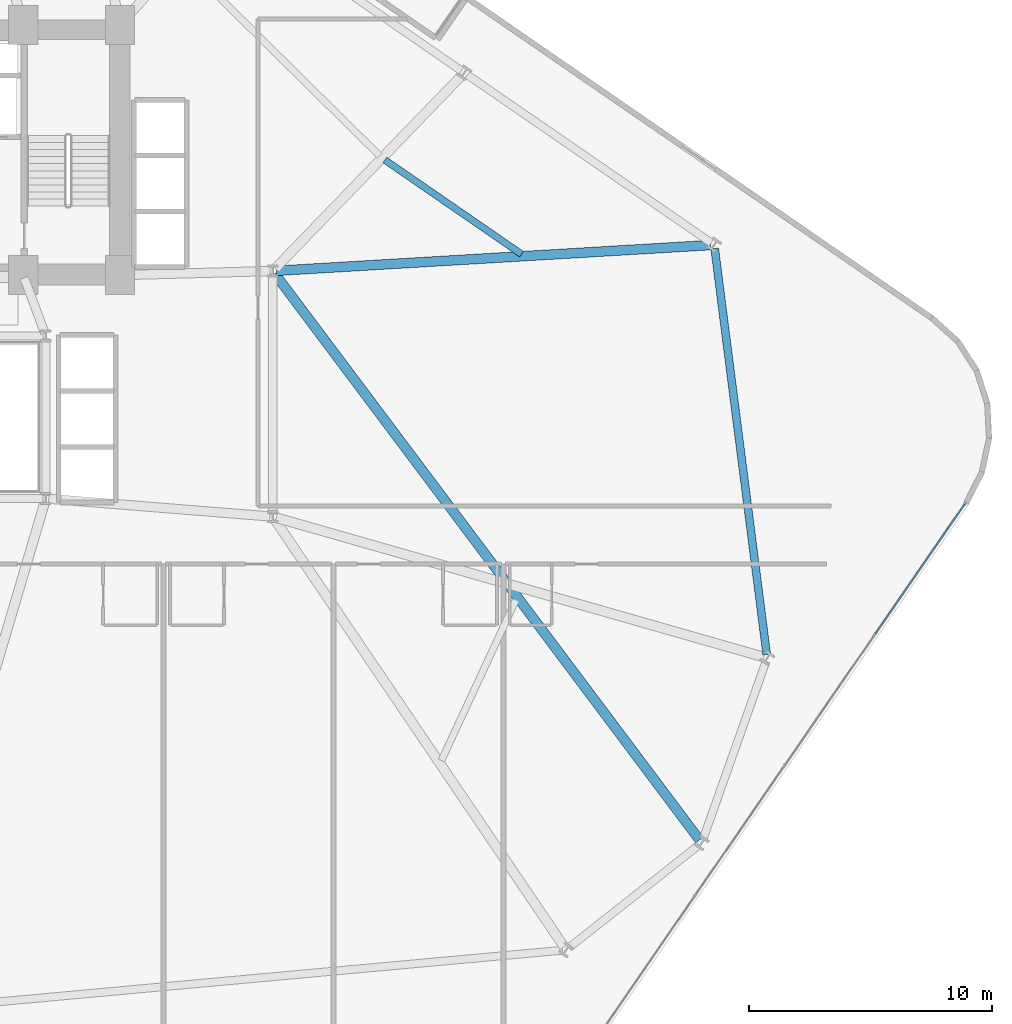
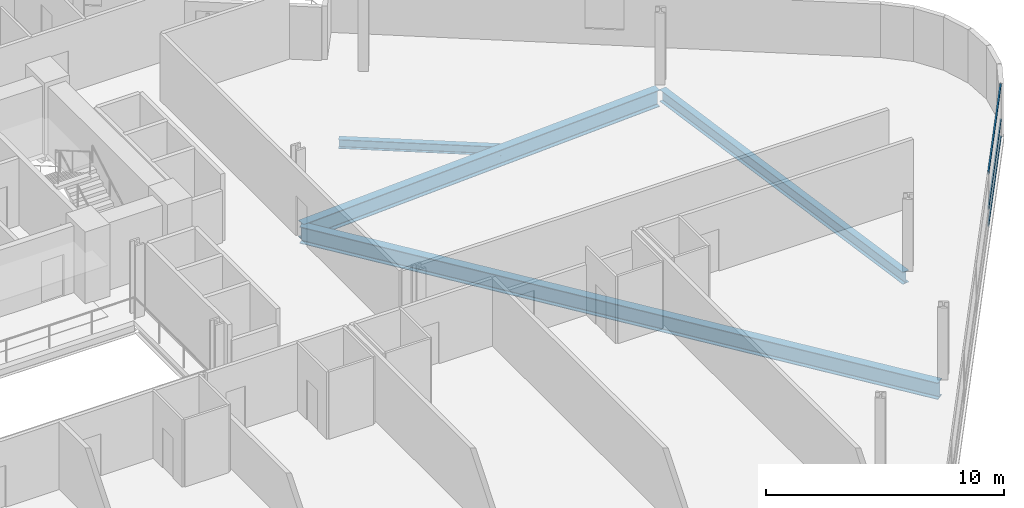
# One storey, part 10 of 25: 4 beams, 3 members, 1 element without a shape of its own.
"""IFC4 building model written with IfcOpenShell, lengths in metres."""

from ifc_helpers import new_model, si_unit, direction, frame, origin, origin_2d, place, context, subcontext, project, spatial, hollow_rectangle, i_section, extrude, material, layer, layer_set, material_profile, profile_set, type_object, element, aggregate, save


model = new_model("IFC4")

# Units and contexts
model_context = context("Model", 3, precision=1e-05, world=origin(), true_north=direction((0.0, 1.0)))
body_context = subcontext(model_context, "Body", "Model", "MODEL_VIEW")
ifc_project = project(units=[si_unit("LENGTHUNIT", "METRE"), si_unit("AREAUNIT", "SQUARE_METRE"), si_unit("VOLUMEUNIT", "CUBIC_METRE"), si_unit("PLANEANGLEUNIT", "RADIAN"), si_unit("MASSUNIT", "GRAM", prefix="KILO")], contexts=[model_context])

# Site, building, storey
site_placement = place(None, origin())
site = spatial("IfcSite", under=ifc_project, at=site_placement, CompositionType="ELEMENT")
building_placement = place(site_placement, origin())
building = spatial("IfcBuilding", under=site, at=building_placement, Name="Varnelok Gate Tower", CompositionType="ELEMENT")
storey_placement = place(building_placement, frame((0.0, 0.0, 56.60009765625)))
storey = spatial("IfcBuildingStorey", under=building, at=storey_placement, Name="L13", CompositionType="ELEMENT", Elevation=56.60009765625)

# Beams
ifc_material_1 = material(Name="Structural Steel ASTM A992 Grade 50", Category="steel")
ifc_material_profile_1 = material_profile(ifc_material_1, i_section(OverallWidth=0.280029296875, OverallDepth=0.462890625, WebThickness=0.0107421875, FlangeThickness=0.017333984375, FilletRadius=0.014892578125, at=origin_2d()), Name="W18X76")
ifc_profile_set_1 = profile_set([ifc_material_profile_1], Name="Structural Steel ASTM A992 Grade 50")
beam_type_1 = type_object("IfcBeamType", Name="BM-JST-W18X76", PredefinedType="JOIST", material=ifc_profile_set_1)
beam_1_placement = place(storey_placement, frame((64.25048828125, 29.613525390625, -0.481689453125), z_axis=(-0.823548330325, 0.56724610851, 0.0), x_axis=(-0.56724610851, -0.823548330325, 0.0)))
element("IfcBeam", 1, at=beam_1_placement, inside=storey, type_object=beam_type_1, Name="L13 Sector Floor Joist 6", PredefinedType="JOIST", context=body_context, shape_type="SweptSolid", body=[
    extrude(i_section(OverallWidth=0.280029296875, OverallDepth=0.462890625, WebThickness=0.0107421875, FlangeThickness=0.017333984375, FilletRadius=0.014892578125, at=origin_2d()), origin(), (0.0, 0.0, 1.0), 6.844970703125),
])
ifc_material_profile_2 = material_profile(ifc_material_1, i_section(OverallWidth=0.39892578125, OverallDepth=0.85498046875, WebThickness=0.018310546875, FlangeThickness=0.029296875, FilletRadius=0.02392578125, at=origin_2d()), Name="W33X201")
ifc_profile_set_2 = profile_set([ifc_material_profile_2], Name="Structural Steel ASTM A992 Grade 50")
beam_type_2 = type_object("IfcBeamType", Name="BM-PRI-W33X201", PredefinedType="BEAM", material=ifc_profile_set_2)
beam_2_placement = place(storey_placement, frame((54.090087890625, 28.800048828125, -0.677490234375), z_axis=(0.600038863323, -0.799970851033, 0.0), x_axis=(0.799970851033, 0.600038863323, 0.0)))
element("IfcBeam", 2, at=beam_2_placement, inside=storey, type_object=beam_type_2, Name="L13 Radial Floor Girder 7", PredefinedType="BEAM", context=body_context, shape_type="SweptSolid", body=[
    extrude(i_section(OverallWidth=0.39892578125, OverallDepth=0.85498046875, WebThickness=0.018310546875, FlangeThickness=0.029296875, FilletRadius=0.02392578125, at=origin_2d()), origin(), (0.0, 0.0, 1.0), 29.148193359375),
])
beam_3_placement = place(storey_placement, frame((54.149658203125, 28.928955078125, -0.677490234375), z_axis=(0.998250753284, 0.059122191839, 0.0), x_axis=(-0.059122191839, 0.998250753284, 0.0)))
element("IfcBeam", 3, at=beam_3_placement, inside=storey, type_object=beam_type_2, Name="L13 Radial Floor Girder 9", PredefinedType="BEAM", context=body_context, shape_type="SweptSolid", body=[
    extrude(i_section(OverallWidth=0.39892578125, OverallDepth=0.85498046875, WebThickness=0.018310546875, FlangeThickness=0.029296875, FilletRadius=0.02392578125, at=origin_2d()), origin(), (0.0, 0.0, 1.0), 17.91748046875),
])
ifc_material_profile_3 = material_profile(ifc_material_1, i_section(OverallWidth=0.323974609375, OverallDepth=0.611083984375, WebThickness=0.0126953125, FlangeThickness=0.01904296875, FilletRadius=0.01806640625, at=origin_2d()), Name="W24X104")
ifc_profile_set_3 = profile_set([ifc_material_profile_3], Name="Structural Steel ASTM A992 Grade 50")
beam_type_3 = type_object("IfcBeamType", Name="BM-SPN-W24X104", PredefinedType="SPANDREL", material=ifc_profile_set_3)
beam_4_placement = place(storey_placement, frame((74.347900390625, 13.125, -0.5556640625), z_axis=(-0.127122673264, 0.991887002608, 0.0), x_axis=(-0.991887002608, -0.127122673264, 0.0)))
element("IfcBeam", 4, at=beam_4_placement, inside=storey, type_object=beam_type_3, Name="L13 Perimeter Spandrel Beam 8", PredefinedType="SPANDREL", context=body_context, shape_type="SweptSolid", body=[
    extrude(i_section(OverallWidth=0.323974609375, OverallDepth=0.611083984375, WebThickness=0.0126953125, FlangeThickness=0.01904296875, FilletRadius=0.01806640625, at=origin_2d()), origin(), (0.0, 0.0, 1.0), 16.860107421875),
])

# Curtain wall, members
ifc_material_2 = material(Name="Anodized Aluminum Alloy 6063-T6", Category="aluminium")
ifc_layer = layer(ifc_material_2, 0.179931640625)
ifc_layer_set = layer_set([ifc_layer], Name="Anodized Aluminum Alloy 6063-T6")
curtain_wall_type = type_object("IfcCurtainWallType", Name="CW3-HOTEL-VISION", PredefinedType="USERDEFINED", material=ifc_layer_set)
curtain_wall_placement = place(storey_placement, origin())
curtain_wall = element("IfcCurtainWall", 5, at=curtain_wall_placement, inside=storey, type_object=curtain_wall_type, Name="L13 East End Vision Curtain Wall", ObjectType="UNITISED CURTAIN WALL", PredefinedType="USERDEFINED")
ifc_material_profile_4 = material_profile(ifc_material_2, hollow_rectangle(XDim=0.06494140625, YDim=0.159912109375, WallThickness=0.00390625, at=origin_2d()), Name="ALU160X65X4")
ifc_profile_set_4 = profile_set([ifc_material_profile_4], Name="Anodized Aluminum Alloy 6063-T6")
member_type = type_object("IfcMemberType", Name="CW-TRAN-160", PredefinedType="USERDEFINED", material=ifc_profile_set_4)
member_1_placement = place(storey_placement, frame((82.505615234375, 19.3125, 0.032470703125), z_axis=(-0.567298980035, -0.823511910813, 0.0), x_axis=(0.823511910813, -0.567298980035, 0.0)))
member_1 = element("IfcMember", 6, at=member_1_placement, type_object=member_type, Name="CW3 transom 1.1", ObjectType="TRANSOM", PredefinedType="USERDEFINED", context=body_context, shape_type="SweptSolid", body=[
    extrude(hollow_rectangle(XDim=0.06494140625, YDim=0.159912109375, WallThickness=0.00390625, at=origin_2d()), origin(), (0.0, 0.0, 1.0), 6.468994140625),
])
member_2_placement = place(storey_placement, frame((82.505615234375, 19.3125, 0.89990234375), z_axis=(-0.567298980035, -0.823511910813, 0.0), x_axis=(0.823511910813, -0.567298980035, 0.0)))
member_2 = element("IfcMember", 7, at=member_2_placement, type_object=member_type, Name="CW3 transom 1.2", ObjectType="TRANSOM", PredefinedType="USERDEFINED", context=body_context, shape_type="SweptSolid", body=[
    extrude(hollow_rectangle(XDim=0.06494140625, YDim=0.159912109375, WallThickness=0.00390625, at=origin_2d()), origin(), (0.0, 0.0, 1.0), 6.468994140625),
])
member_3_placement = place(storey_placement, frame((82.505615234375, 19.3125, 2.697509765625), z_axis=(-0.567298980035, -0.823511910813, 0.0), x_axis=(0.823511910813, -0.567298980035, 0.0)))
member_3 = element("IfcMember", 8, at=member_3_placement, type_object=member_type, Name="CW3 transom 1.3", ObjectType="TRANSOM", PredefinedType="USERDEFINED", context=body_context, shape_type="SweptSolid", body=[
    extrude(hollow_rectangle(XDim=0.06494140625, YDim=0.159912109375, WallThickness=0.00390625, at=origin_2d()), origin(), (0.0, 0.0, 1.0), 6.468994140625),
])
aggregate(curtain_wall, [member_1, member_2, member_3])

save(model, "model.ifc")
